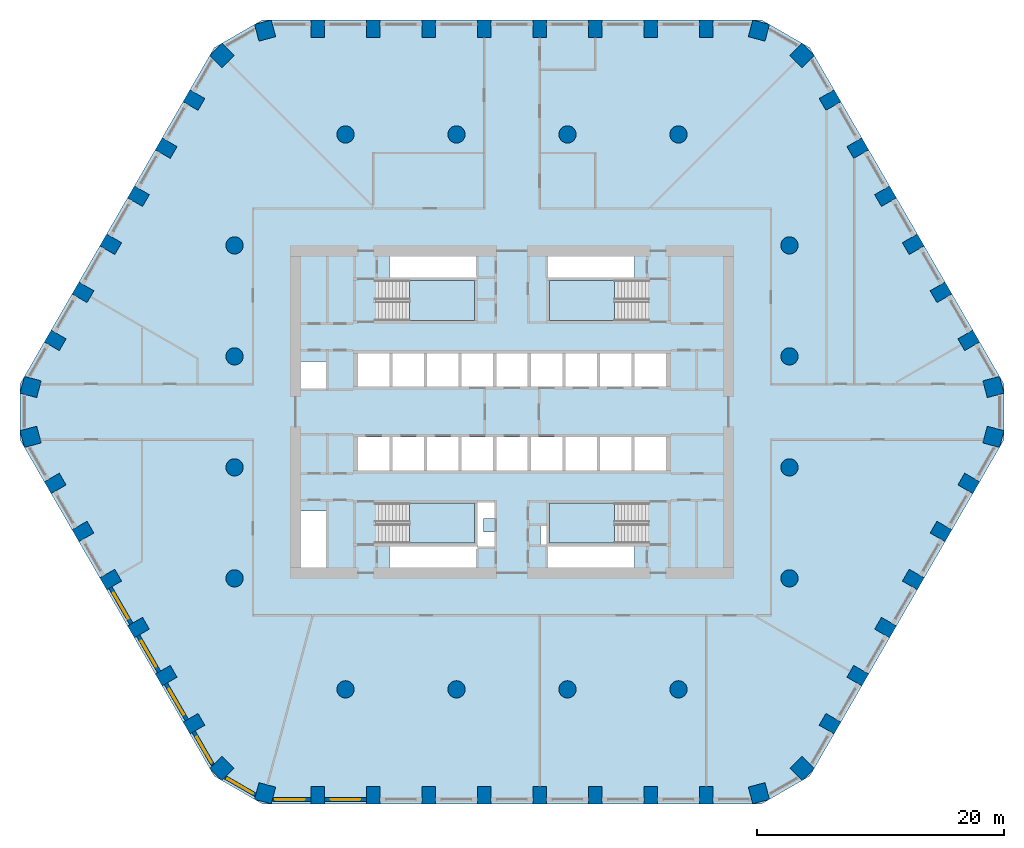
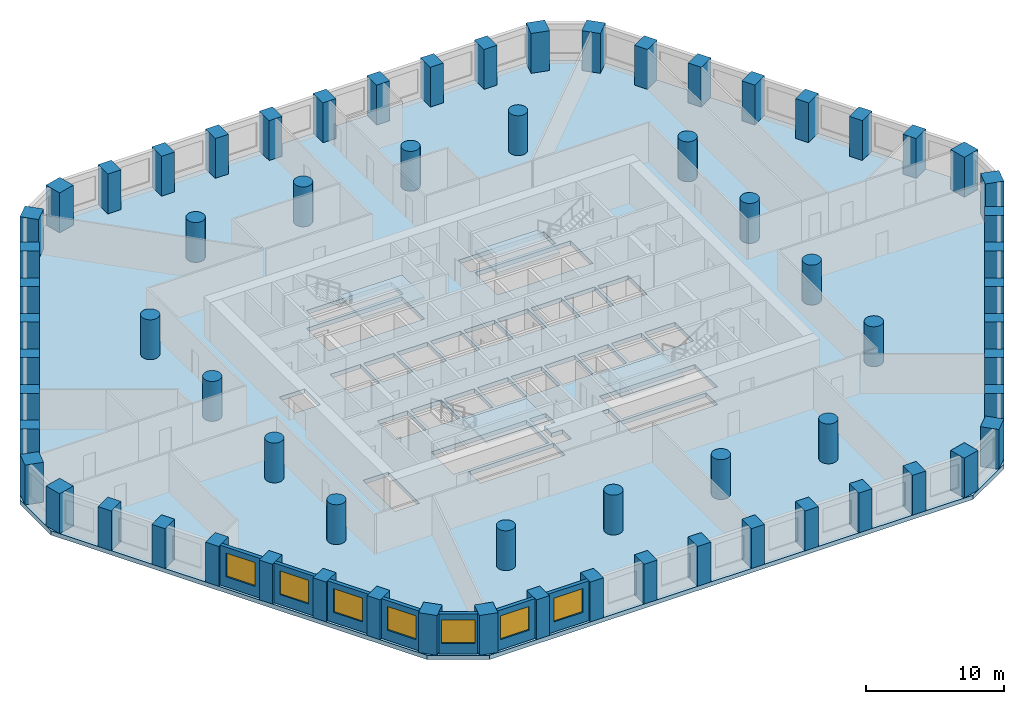
# One storey, part 1 of 10: 68 columns, 7 walls, 7 windows, 5 slabs, 7 openings, 4 elements without a shape of their own.
"""IFC4 building model written with IfcOpenShell, lengths in metres."""

from ifc_helpers import new_model, si_unit, direction, frame, frame_2d, origin, origin_2d, place, context, subcontext, project, spatial, polyline, rectangle, circle, outline, extrude, material, layer, layer_set, material_profile, profile_set, type_object, element, fill, aggregate, save


model = new_model("IFC4")

# Units and contexts
model_context = context("Model", 3, precision=1e-05, world=origin(), true_north=direction((0.0, 1.0)))
body_context = subcontext(model_context, "Body", "Model", "MODEL_VIEW")
ifc_project = project(units=[si_unit("LENGTHUNIT", "METRE"), si_unit("AREAUNIT", "SQUARE_METRE"), si_unit("VOLUMEUNIT", "CUBIC_METRE"), si_unit("PLANEANGLEUNIT", "RADIAN"), si_unit("MASSUNIT", "GRAM", prefix="KILO")], contexts=[model_context])

# Site, building, storey
site_placement = place(None, origin())
site = spatial("IfcSite", under=ifc_project, at=site_placement, CompositionType="ELEMENT")
building_placement = place(site_placement, origin())
building = spatial("IfcBuilding", under=site, at=building_placement, Name="Dhurran Vertical Campus", CompositionType="ELEMENT")
storey_placement = place(building_placement, frame((0.0, 0.0, 57.300048828125)))
storey = spatial("IfcBuildingStorey", under=building, at=storey_placement, Name="L13", CompositionType="ELEMENT", Elevation=57.300048828125)

# Columns
ifc_material_1 = material(Name="Concrete C70/85", Category="concrete")
ifc_material_profile_1 = material_profile(ifc_material_1, rectangle(XDim=1.10009765625, YDim=1.39990234375, at=origin_2d()), Name="RC 1100x1400")
ifc_profile_set_1 = profile_set([ifc_material_profile_1], Name="Concrete C70/85")
column_type_1 = type_object("IfcColumnType", Name="FR COL RC 1100x1400 C70/85", PredefinedType="COLUMN", material=ifc_profile_set_1)
for number, where, z_axis, x_axis, name in (
    (1, (-15.75, -31.079833984375, 0.0), (0.0, 0.0, 1.0), (1.0, 0.0, 0.0), "Perimeter pier PP1.01"),
    (2, (-11.25, -31.079833984375, 0.0), (0.0, 0.0, 1.0), (1.0, 0.0, 0.0), "Perimeter pier PP1.02"),
    (3, (-6.75, -31.079833984375, 0.0), (0.0, 0.0, 1.0), (1.0, 0.0, 0.0), "Perimeter pier PP1.03"),
    (4, (-2.25, -31.079833984375, 0.0), (0.0, 0.0, 1.0), (1.0, 0.0, 0.0), "Perimeter pier PP1.04"),
    (5, (2.25, -31.079833984375, 0.0), (0.0, 0.0, 1.0), (1.0, 0.0, 0.0), "Perimeter pier PP1.05"),
    (6, (6.75, -31.079833984375, 0.0), (0.0, 0.0, 1.0), (1.0, 0.0, 0.0), "Perimeter pier PP1.06"),
    (7, (11.25, -31.079833984375, 0.0), (0.0, 0.0, 1.0), (1.0, 0.0, 0.0), "Perimeter pier PP1.07"),
    (8, (15.75, -31.079833984375, 0.0), (0.0, 0.0, 1.0), (1.0, 0.0, 0.0), "Perimeter pier PP1.08"),
    (9, (25.791015625, -25.28271484375, 0.0), (0.0, 0.0, 1.0), (0.5, 0.866025403784, 0.0), "Perimeter pier PP1.11"),
    (10, (28.041015625, -21.385498046875, 0.0), (0.0, 0.0, 1.0), (0.5, 0.866025403784, 0.0), "Perimeter pier PP1.12"),
    (11, (30.291015625, -17.488525390625, 0.0), (0.0, 0.0, 1.0), (0.5, 0.866025403784, 0.0), "Perimeter pier PP1.13"),
    (12, (32.541015625, -13.59130859375, 0.0), (0.0, 0.0, 1.0), (0.5, 0.866025403784, 0.0), "Perimeter pier PP1.14"),
    (13, (34.791015625, -9.694091796875, 0.0), (0.0, 0.0, 1.0), (0.5, 0.866025403784, 0.0), "Perimeter pier PP1.15"),
    (14, (37.041015625, -5.797119140625, 0.0), (0.0, 0.0, 1.0), (0.5, 0.866025403784, 0.0), "Perimeter pier PP1.16"),
    (15, (37.041015625, 5.797119140625, 0.0), (0.0, 0.0, 1.0), (-0.5, 0.866025403784, 0.0), "Perimeter pier PP1.19"),
    (16, (34.791015625, 9.694091796875, 0.0), (0.0, 0.0, 1.0), (-0.5, 0.866025403784, 0.0), "Perimeter pier PP1.20"),
    (17, (32.541015625, 13.59130859375, 0.0), (0.0, 0.0, 1.0), (-0.5, 0.866025403784, 0.0), "Perimeter pier PP1.21"),
    (18, (30.291015625, 17.488525390625, 0.0), (0.0, 0.0, 1.0), (-0.5, 0.866025403784, 0.0), "Perimeter pier PP1.22"),
    (19, (28.041015625, 21.385498046875, 0.0), (0.0, 0.0, 1.0), (-0.5, 0.866025403784, 0.0), "Perimeter pier PP1.23"),
    (20, (25.791015625, 25.28271484375, 0.0), (0.0, 0.0, 1.0), (-0.5, 0.866025403784, 0.0), "Perimeter pier PP1.24"),
    (21, (15.75, 31.079833984375, 0.0), (0.0, 0.0, 1.0), (-1.0, 0.0, 0.0), "Perimeter pier PP1.27"),
    (22, (11.25, 31.079833984375, 0.0), (0.0, 0.0, 1.0), (-1.0, 0.0, 0.0), "Perimeter pier PP1.28"),
    (23, (6.75, 31.079833984375, 0.0), (0.0, 0.0, 1.0), (-1.0, 0.0, 0.0), "Perimeter pier PP1.29"),
    (24, (2.25, 31.079833984375, 0.0), (0.0, 0.0, 1.0), (-1.0, 0.0, 0.0), "Perimeter pier PP1.30"),
    (25, (-2.25, 31.079833984375, 0.0), (0.0, 0.0, 1.0), (-1.0, 0.0, 0.0), "Perimeter pier PP1.31"),
    (26, (-6.75, 31.079833984375, 0.0), (0.0, 0.0, 1.0), (-1.0, 0.0, 0.0), "Perimeter pier PP1.32"),
    (27, (-11.25, 31.079833984375, 0.0), (0.0, 0.0, 1.0), (-1.0, 0.0, 0.0), "Perimeter pier PP1.33"),
    (28, (-15.75, 31.079833984375, 0.0), (0.0, 0.0, 1.0), (-1.0, 0.0, 0.0), "Perimeter pier PP1.34"),
    (29, (-25.791015625, 25.28271484375, 0.0), (0.0, 0.0, 1.0), (-0.5, -0.866025403784, 0.0), "Perimeter pier PP1.37"),
    (30, (-28.041015625, 21.385498046875, 0.0), (0.0, 0.0, 1.0), (-0.5, -0.866025403784, 0.0), "Perimeter pier PP1.38"),
    (31, (-30.291015625, 17.488525390625, 0.0), (0.0, 0.0, 1.0), (-0.5, -0.866025403784, 0.0), "Perimeter pier PP1.39"),
    (32, (-32.541015625, 13.59130859375, 0.0), (0.0, 0.0, 1.0), (-0.5, -0.866025403784, 0.0), "Perimeter pier PP1.40"),
    (33, (-34.791015625, 9.694091796875, 0.0), (0.0, 0.0, 1.0), (-0.5, -0.866025403784, 0.0), "Perimeter pier PP1.41"),
    (34, (-37.041015625, 5.797119140625, 0.0), (0.0, 0.0, 1.0), (-0.5, -0.866025403784, 0.0), "Perimeter pier PP1.42"),
    (35, (-37.041015625, -5.797119140625, 0.0), (0.0, 0.0, 1.0), (0.5, -0.866025403784, 0.0), "Perimeter pier PP1.45"),
    (36, (-34.791015625, -9.694091796875, 0.0), (0.0, 0.0, 1.0), (0.5, -0.866025403784, 0.0), "Perimeter pier PP1.46"),
    (37, (-32.541015625, -13.59130859375, 0.0), (0.0, 0.0, 1.0), (0.5, -0.866025403784, 0.0), "Perimeter pier PP1.47"),
    (38, (-30.291015625, -17.488525390625, 0.0), (0.0, 0.0, 1.0), (0.5, -0.866025403784, 0.0), "Perimeter pier PP1.48"),
    (39, (-28.041015625, -21.385498046875, 0.0), (0.0, 0.0, 1.0), (0.5, -0.866025403784, 0.0), "Perimeter pier PP1.49"),
    (40, (-25.791015625, -25.28271484375, 0.0), (0.0, 0.0, 1.0), (0.5, -0.866025403784, 0.0), "Perimeter pier PP1.50"),
):
    element("IfcColumn", number, at=place(storey_placement, frame(where, z_axis=z_axis, x_axis=x_axis)), inside=storey, type_object=column_type_1, Name=name, PredefinedType="COLUMN", context=body_context, shape_type="SweptSolid", body=[
        extrude(rectangle(XDim=1.10009765625, YDim=1.39990234375, at=origin_2d()), origin(), (0.0, 0.0, 1.0), 3.52490234375),
    ])
ifc_material_2 = material(Name="Concrete C70/85", Category="concrete")
ifc_material_profile_2 = material_profile(ifc_material_2, rectangle(XDim=1.39990234375, YDim=1.39990234375, at=origin_2d()), Name="RC 1400x1400")
ifc_profile_set_2 = profile_set([ifc_material_profile_2], Name="Concrete C70/85")
column_type_2 = type_object("IfcColumnType", Name="FR COL RC 1400x1400 C70/85", PredefinedType="COLUMN", material=ifc_profile_set_2)
for number, where, z_axis, x_axis, name in (
    (41, (-20.020263671875, -30.922607421875, 0.0), (0.0, 0.0, 1.0), (0.965925826289, -0.258819045103, 0.0), "Perimeter pier PP1.00"),
    (42, (20.020263671875, -30.922607421875, 0.0), (0.0, 0.0, 1.0), (0.965925826289, 0.258819045103, 0.0), "Perimeter pier PP1.09"),
    (43, (23.51953125, -28.902099609375, 0.0), (0.0, 0.0, 1.0), (0.707106781187, 0.707106781187, 0.0), "Perimeter pier PP1.10"),
    (44, (39.039794921875, -2.020263671875, 0.0), (0.0, 0.0, 1.0), (0.258819045103, 0.965925826289, 0.0), "Perimeter pier PP1.17"),
    (45, (39.039794921875, 2.020263671875, 0.0), (0.0, 0.0, 1.0), (-0.258819045103, 0.965925826289, 0.0), "Perimeter pier PP1.18"),
    (46, (23.51953125, 28.902099609375, 0.0), (0.0, 0.0, 1.0), (-0.707106781187, 0.707106781187, 0.0), "Perimeter pier PP1.25"),
    (47, (20.020263671875, 30.922607421875, 0.0), (0.0, 0.0, 1.0), (-0.965925826289, 0.258819045103, 0.0), "Perimeter pier PP1.26"),
    (48, (-20.020263671875, 30.922607421875, 0.0), (0.0, 0.0, 1.0), (-0.965925826289, -0.258819045103, 0.0), "Perimeter pier PP1.35"),
    (49, (-23.51953125, 28.902099609375, 0.0), (0.0, 0.0, 1.0), (-0.707106781187, -0.707106781187, 0.0), "Perimeter pier PP1.36"),
    (50, (-39.039794921875, 2.020263671875, 0.0), (0.0, 0.0, 1.0), (-0.258819045103, -0.965925826289, 0.0), "Perimeter pier PP1.43"),
    (51, (-39.039794921875, -2.020263671875, 0.0), (0.0, 0.0, 1.0), (0.258819045103, -0.965925826289, 0.0), "Perimeter pier PP1.44"),
    (52, (-23.51953125, -28.902099609375, 0.0), (0.0, 0.0, 1.0), (0.707106781187, -0.707106781187, 0.0), "Perimeter pier PP1.51"),
):
    element("IfcColumn", number, at=place(storey_placement, frame(where, z_axis=z_axis, x_axis=x_axis)), inside=storey, type_object=column_type_2, Name=name, PredefinedType="COLUMN", context=body_context, shape_type="SweptSolid", body=[
        extrude(rectangle(XDim=1.39990234375, YDim=1.39990234375, at=origin_2d()), origin(), (0.0, 0.0, 1.0), 3.52490234375),
    ])
ifc_material_3 = material(Name="Concrete C70/85", Category="concrete")
ifc_material_profile_3 = material_profile(ifc_material_3, circle(Radius=0.699951171875, at=origin_2d()), Name="RCC D1400")
ifc_profile_set_3 = profile_set([ifc_material_profile_3], Name="Concrete C70/85")
column_type_3 = type_object("IfcColumnType", Name="FR COL RCC D1400 C70/85", PredefinedType="COLUMN", material=ifc_profile_set_3)
for number, where, z_axis, x_axis, name in (
    (53, (-22.5, -13.5, 0.0), (0.0, 0.0, 1.0), (1.0, 0.0, 0.0), "Inner column IC1-D4"),
    (54, (-22.5, -4.5, 0.0), (0.0, 0.0, 1.0), (1.0, 0.0, 0.0), "Inner column IC1-D5"),
    (55, (-22.5, 4.5, 0.0), (0.0, 0.0, 1.0), (1.0, 0.0, 0.0), "Inner column IC1-D6"),
    (56, (-22.5, 13.5, 0.0), (0.0, 0.0, 1.0), (1.0, 0.0, 0.0), "Inner column IC1-D7"),
    (57, (-13.5, -22.5, 0.0), (0.0, 0.0, 1.0), (1.0, 0.0, 0.0), "Inner column IC1-E3"),
    (58, (-13.5, 22.5, 0.0), (0.0, 0.0, 1.0), (1.0, 0.0, 0.0), "Inner column IC1-E8"),
    (59, (-4.5, -22.5, 0.0), (0.0, 0.0, 1.0), (1.0, 0.0, 0.0), "Inner column IC1-F3"),
    (60, (-4.5, 22.5, 0.0), (0.0, 0.0, 1.0), (1.0, 0.0, 0.0), "Inner column IC1-F8"),
    (61, (4.5, -22.5, 0.0), (0.0, 0.0, 1.0), (1.0, 0.0, 0.0), "Inner column IC1-G3"),
    (62, (4.5, 22.5, 0.0), (0.0, 0.0, 1.0), (1.0, 0.0, 0.0), "Inner column IC1-G8"),
    (63, (13.5, -22.5, 0.0), (0.0, 0.0, 1.0), (1.0, 0.0, 0.0), "Inner column IC1-H3"),
    (64, (13.5, 22.5, 0.0), (0.0, 0.0, 1.0), (1.0, 0.0, 0.0), "Inner column IC1-H8"),
    (65, (22.5, -13.5, 0.0), (0.0, 0.0, 1.0), (1.0, 0.0, 0.0), "Inner column IC1-J4"),
    (66, (22.5, -4.5, 0.0), (0.0, 0.0, 1.0), (1.0, 0.0, 0.0), "Inner column IC1-J5"),
    (67, (22.5, 4.5, 0.0), (0.0, 0.0, 1.0), (1.0, 0.0, 0.0), "Inner column IC1-J6"),
    (68, (22.5, 13.5, 0.0), (0.0, 0.0, 1.0), (1.0, 0.0, 0.0), "Inner column IC1-J7"),
):
    element("IfcColumn", number, at=place(storey_placement, frame(where, z_axis=z_axis, x_axis=x_axis)), inside=storey, type_object=column_type_3, Name=name, PredefinedType="COLUMN", context=body_context, shape_type="SweptSolid", body=[
        extrude(circle(Radius=0.699951171875, at=origin_2d()), origin(), (0.0, 0.0, 1.0), 3.52490234375),
    ])

# Slab
ifc_material_4 = material(Name="Concrete C40/50", Category="concrete")
ifc_layer_1 = layer(ifc_material_4, 0.375)
ifc_layer_set_1 = layer_set([ifc_layer_1], Name="Concrete C40/50")
slab_type_1 = type_object("IfcSlabType", Name="FR POST-TENSIONED FLAT SLAB 375", PredefinedType="FLOOR", material=ifc_layer_set_1)
slab_1_placement = place(storey_placement, frame((0.0, 0.0, -0.375)))
element("IfcSlab", 69, at=slab_1_placement, inside=storey, type_object=slab_type_1, Name="Floor slab L13", PredefinedType="FLOOR", context=body_context, shape_type="SweptSolid", body=[
    extrude(outline(polyline([(-20.25, -31.77978515625), (20.25, -31.77978515625), (24.147216796875, -29.52978515625), (39.897216796875, -2.25), (39.897216796875, 2.25), (24.147216796875, 29.52978515625), (20.25, 31.77978515625), (-20.25, 31.77978515625), (-24.147216796875, 29.52978515625), (-39.897216796875, 2.25), (-39.897216796875, -2.25), (-24.147216796875, -29.52978515625), (-20.25, -31.77978515625)]), holes=[polyline([(-12.47509765625, 2.050048828125), (-9.925048828125, 2.050048828125), (-9.925048828125, 4.75), (-12.47509765625, 4.75), (-12.47509765625, 2.050048828125)]), polyline([(-9.675048828125, 2.050048828125), (-7.125, 2.050048828125), (-7.125, 4.75), (-9.675048828125, 4.75), (-9.675048828125, 2.050048828125)]), polyline([(-6.875, 2.050048828125), (-4.324951171875, 2.050048828125), (-4.324951171875, 4.75), (-6.875, 4.75), (-6.875, 2.050048828125)]), polyline([(-1.27490234375, 2.050048828125), (1.27490234375, 2.050048828125), (1.27490234375, 4.75), (-1.27490234375, 4.75), (-1.27490234375, 2.050048828125)]), polyline([(9.925048828125, 2.050048828125), (12.47509765625, 2.050048828125), (12.47509765625, 4.75), (9.925048828125, 4.75), (9.925048828125, 2.050048828125)]), polyline([(-1.27490234375, -4.75), (1.27490234375, -4.75), (1.27490234375, -2.050048828125), (-1.27490234375, -2.050048828125), (-1.27490234375, -4.75)]), polyline([(1.52490234375, -4.75), (4.074951171875, -4.75), (4.074951171875, -2.050048828125), (1.52490234375, -2.050048828125), (1.52490234375, -4.75)]), polyline([(4.324951171875, -4.75), (6.875, -4.75), (6.875, -2.050048828125), (4.324951171875, -2.050048828125), (4.324951171875, -4.75)]), polyline([(7.125, -4.75), (9.675048828125, -4.75), (9.675048828125, -2.050048828125), (7.125, -2.050048828125), (7.125, -4.75)]), polyline([(9.925048828125, -4.75), (12.47509765625, -4.75), (12.47509765625, -2.050048828125), (9.925048828125, -2.050048828125), (9.925048828125, -4.75)]), polyline([(-4.074951171875, 2.050048828125), (-1.52490234375, 2.050048828125), (-1.52490234375, 4.75), (-4.074951171875, 4.75), (-4.074951171875, 2.050048828125)]), polyline([(1.52490234375, 2.050048828125), (4.074951171875, 2.050048828125), (4.074951171875, 4.75), (1.52490234375, 4.75), (1.52490234375, 2.050048828125)]), polyline([(4.324951171875, 2.050048828125), (6.875, 2.050048828125), (6.875, 4.75), (4.324951171875, 4.75), (4.324951171875, 2.050048828125)]), polyline([(7.125, 2.050048828125), (9.675048828125, 2.050048828125), (9.675048828125, 4.75), (7.125, 4.75), (7.125, 2.050048828125)]), polyline([(-12.47509765625, -4.75), (-9.925048828125, -4.75), (-9.925048828125, -2.050048828125), (-12.47509765625, -2.050048828125), (-12.47509765625, -4.75)]), polyline([(-9.675048828125, -4.75), (-7.125, -4.75), (-7.125, -2.050048828125), (-9.675048828125, -2.050048828125), (-9.675048828125, -4.75)]), polyline([(-6.875, -4.75), (-4.324951171875, -4.75), (-4.324951171875, -2.050048828125), (-6.875, -2.050048828125), (-6.875, -4.75)]), polyline([(-4.074951171875, -4.75), (-1.52490234375, -4.75), (-1.52490234375, -2.050048828125), (-4.074951171875, -2.050048828125), (-4.074951171875, -4.75)]), polyline([(-11.050048828125, 7.39990234375), (-3.050048828125, 7.39990234375), (-3.050048828125, 10.64990234375), (-11.050048828125, 10.64990234375), (-11.050048828125, 7.39990234375)]), polyline([(3.050048828125, 7.39990234375), (11.050048828125, 7.39990234375), (11.050048828125, 10.64990234375), (3.050048828125, 10.64990234375), (3.050048828125, 7.39990234375)]), polyline([(-11.050048828125, -10.64990234375), (-3.050048828125, -10.64990234375), (-3.050048828125, -7.39990234375), (-11.050048828125, -7.39990234375), (-11.050048828125, -10.64990234375)]), polyline([(3.050048828125, -10.64990234375), (11.050048828125, -10.64990234375), (11.050048828125, -7.39990234375), (3.050048828125, -7.39990234375), (3.050048828125, -10.64990234375)]), polyline([(-9.949951171875, 10.89990234375), (-9.949951171875, 12.60009765625), (-2.800048828125, 12.60009765625), (-2.800048828125, 10.89990234375), (-9.949951171875, 10.89990234375)]), polyline([(9.949951171875, 12.60009765625), (9.949951171875, 10.89990234375), (2.800048828125, 10.89990234375), (2.800048828125, 12.60009765625), (9.949951171875, 12.60009765625)]), polyline([(-9.949951171875, -12.60009765625), (-9.949951171875, -10.89990234375), (-2.800048828125, -10.89990234375), (-2.800048828125, -12.60009765625), (-9.949951171875, -12.60009765625)]), polyline([(9.949951171875, -10.89990234375), (9.949951171875, -12.60009765625), (2.800048828125, -12.60009765625), (2.800048828125, -10.89990234375), (9.949951171875, -10.89990234375)]), polyline([(-17.10009765625, -8.050048828125), (-15.0, -8.050048828125), (-15.0, -12.60009765625), (-17.10009765625, -12.60009765625), (-17.10009765625, -8.050048828125)]), polyline([(-2.800048828125, -7.35009765625), (-1.39990234375, -7.35009765625), (-1.39990234375, -8.637451171875), (-2.300048828125, -8.637451171875), (-2.300048828125, -9.737548828125), (-1.39990234375, -9.737548828125), (-1.39990234375, -11.02490234375), (-2.75, -11.02490234375), (-2.75, -10.85009765625), (-2.800048828125, -10.85009765625), (-2.800048828125, -7.35009765625)]), polyline([(2.300048828125, -10.867431640625), (2.300048828125, -9.135009765625), (2.800048828125, -9.135009765625), (2.800048828125, -10.85009765625), (2.75, -10.85009765625), (2.75, -10.867431640625), (2.300048828125, -10.867431640625)]), polyline([(-17.10009765625, 4.10009765625), (-15.0, 4.10009765625), (-15.0, 1.800048828125), (-17.10009765625, 1.800048828125), (-17.10009765625, 4.10009765625)])]), origin(), (0.0, 0.0, 1.0), 0.375),
])

# Stair, slab
ifc_material_5 = material(Name="Concrete C40/50", Category="concrete")
stair_type = type_object("IfcStairType", Name="co-ST-CORE", PredefinedType="HALF_TURN_STAIR", material=ifc_material_5)
stair_1_placement = place(storey_placement, origin())
stair_1 = element("IfcStair", 70, at=stair_1_placement, inside=storey, type_object=stair_type, Name="L13 Protected exit stair ST1", PredefinedType="HALF_TURN_STAIR")
ifc_material_6 = material(Name="Concrete C40/50", Category="concrete")
ifc_layer_2 = layer(ifc_material_6, 0.199951171875)
ifc_layer_set_2 = layer_set([ifc_layer_2], Name="Concrete C40/50")
slab_type_2 = type_object("IfcSlabType", Name="co-SL-LANDING", PredefinedType="LANDING", material=ifc_layer_set_2)
slab_2_placement = place(storey_placement, frame((0.0, 0.0, 1.75)))
slab_2 = element("IfcSlab", 71, at=slab_2_placement, type_object=slab_type_2, Name="ST1 landing 1", PredefinedType="LANDING", context=body_context, shape_type="SweptSolid", body=[
    extrude(outline(polyline([(-8.300048828125, 7.39990234375), (-3.050048828125, 7.39990234375), (-3.050048828125, 10.64990234375), (-8.300048828125, 10.64990234375), (-8.300048828125, 7.39990234375)])), origin(), (0.0, 0.0, 1.0), 0.199951171875),
])
aggregate(stair_1, [slab_2])

stair_2_placement = place(storey_placement, origin())
stair_2 = element("IfcStair", 72, at=stair_2_placement, inside=storey, type_object=stair_type, Name="L13 Protected exit stair ST2", PredefinedType="HALF_TURN_STAIR")
slab_3_placement = place(storey_placement, frame((0.0, 0.0, 1.75)))
slab_3 = element("IfcSlab", 73, at=slab_3_placement, type_object=slab_type_2, Name="ST2 landing 1", PredefinedType="LANDING", context=body_context, shape_type="SweptSolid", body=[
    extrude(outline(polyline([(8.300048828125, 10.64990234375), (3.050048828125, 10.64990234375), (3.050048828125, 7.39990234375), (8.300048828125, 7.39990234375), (8.300048828125, 10.64990234375)])), origin(), (0.0, 0.0, 1.0), 0.199951171875),
])
aggregate(stair_2, [slab_3])

stair_3_placement = place(storey_placement, origin())
stair_3 = element("IfcStair", 74, at=stair_3_placement, inside=storey, type_object=stair_type, Name="L13 Protected exit stair ST3", PredefinedType="HALF_TURN_STAIR")
slab_4_placement = place(storey_placement, frame((0.0, 0.0, 1.75)))
slab_4 = element("IfcSlab", 75, at=slab_4_placement, type_object=slab_type_2, Name="ST3 landing 1", PredefinedType="LANDING", context=body_context, shape_type="SweptSolid", body=[
    extrude(outline(polyline([(-8.300048828125, -10.64990234375), (-3.050048828125, -10.64990234375), (-3.050048828125, -7.39990234375), (-8.300048828125, -7.39990234375), (-8.300048828125, -10.64990234375)])), origin(), (0.0, 0.0, 1.0), 0.199951171875),
])
aggregate(stair_3, [slab_4])

stair_4_placement = place(storey_placement, origin())
stair_4 = element("IfcStair", 76, at=stair_4_placement, inside=storey, type_object=stair_type, Name="L13 Protected exit stair ST4", PredefinedType="HALF_TURN_STAIR")
slab_5_placement = place(storey_placement, frame((0.0, 0.0, 1.75)))
slab_5 = element("IfcSlab", 77, at=slab_5_placement, type_object=slab_type_2, Name="ST4 landing 1", PredefinedType="LANDING", context=body_context, shape_type="SweptSolid", body=[
    extrude(outline(polyline([(8.300048828125, -7.39990234375), (3.050048828125, -7.39990234375), (3.050048828125, -10.64990234375), (8.300048828125, -10.64990234375), (8.300048828125, -7.39990234375)])), origin(), (0.0, 0.0, 1.0), 0.199951171875),
])
aggregate(stair_4, [slab_5])

# Wall, opening, window
ifc_material_7 = material(Name="Precast concrete C50/60", Category="concrete")
ifc_layer_3 = layer(ifc_material_7, 0.300048828125)
ifc_layer_set_3 = layer_set([ifc_layer_3], Name="Precast concrete C50/60")
wall_type = type_object("IfcWallType", Name="Precast spandrel wall 300", PredefinedType="SOLIDWALL", material=ifc_layer_set_3)
wall_1_placement = place(storey_placement, frame((-19.39111328125, -31.4296875, 0.0), z_axis=(0.0, 0.0, 1.0), x_axis=(1.0, 0.0, 0.0)))
wall_1 = element("IfcWall", 78, at=wall_1_placement, inside=storey, type_object=wall_type, Name="EW1 L13.00", PredefinedType="SOLIDWALL", context=body_context, shape_type="SweptSolid", body=[
    extrude(rectangle(XDim=3.090576171875, YDim=0.300048828125, at=frame_2d((1.54541015625, 0.0))), origin(), (0.0, 0.0, 1.0), 3.52490234375),
])
opening_1_placement = place(wall_1_placement, frame((0.191162109375, 0.0, 0.89990234375)))
opening_1 = element("IfcOpeningElement", 79, at=opening_1_placement, cuts=wall_1, Name="Opening WT1", PredefinedType="OPENING", context=body_context, shape_type="SweptSolid", body=[
    extrude(rectangle(XDim=2.39990234375, YDim=2.10009765625, at=frame_2d((1.199951171875, 1.050048828125))), frame((0.0, 0.159912109375, 0.0), z_axis=(0.0, -1.0, 0.0), x_axis=(1.0, 0.0, 0.0)), (0.0, 0.0, 1.0), 0.320068359375),
])
ifc_material_8 = material(Name="Aluminium frame with solar-control glass", Category="aluminium")
window_type = type_object("IfcWindowType", Name="Punched window 2400 x 2100", PartitioningType="SINGLE_PANEL", PredefinedType="WINDOW", material=ifc_material_8)
window_1_placement = place(opening_1_placement, origin())
window_1 = element("IfcWindow", 80, at=window_1_placement, inside=storey, type_object=window_type, Name="WT1 L13.00", OverallHeight=2.10009765625, OverallWidth=2.39990234375, PartitioningType="SINGLE_PANEL", PredefinedType="WINDOW", context=body_context, shape_type="SweptSolid", body=[
    extrude(rectangle(XDim=2.39990234375, YDim=2.10009765625, at=frame_2d((1.199951171875, 1.050048828125))), frame((0.0, 0.030029296875, 0.0), z_axis=(0.0, -1.0, 0.0), x_axis=(1.0, 0.0, 0.0)), (0.0, 0.0, 1.0), 0.06005859375),
])
fill(opening_1, window_1)

wall_2_placement = place(storey_placement, frame((-15.199462890625, -31.4296875, 0.0), z_axis=(0.0, 0.0, 1.0), x_axis=(1.0, 0.0, 0.0)))
wall_2 = element("IfcWall", 81, at=wall_2_placement, inside=storey, type_object=wall_type, Name="EW1 L13.01", PredefinedType="SOLIDWALL", context=body_context, shape_type="SweptSolid", body=[
    extrude(rectangle(XDim=3.39892578125, YDim=0.300048828125, at=frame_2d((1.699462890625, 0.0))), origin(), (0.0, 0.0, 1.0), 3.52490234375),
])
opening_2_placement = place(wall_2_placement, frame((0.49951171875, 0.0, 0.89990234375)))
opening_2 = element("IfcOpeningElement", 82, at=opening_2_placement, cuts=wall_2, Name="Opening WT1", PredefinedType="OPENING", context=body_context, shape_type="SweptSolid", body=[
    extrude(rectangle(XDim=2.39990234375, YDim=2.10009765625, at=frame_2d((1.199951171875, 1.050048828125))), frame((0.0, 0.159912109375, 0.0), z_axis=(0.0, -1.0, 0.0), x_axis=(1.0, 0.0, 0.0)), (0.0, 0.0, 1.0), 0.320068359375),
])
window_2_placement = place(opening_2_placement, origin())
window_2 = element("IfcWindow", 83, at=window_2_placement, inside=storey, type_object=window_type, Name="WT1 L13.01", OverallHeight=2.10009765625, OverallWidth=2.39990234375, PartitioningType="SINGLE_PANEL", PredefinedType="WINDOW", context=body_context, shape_type="SweptSolid", body=[
    extrude(rectangle(XDim=2.39990234375, YDim=2.10009765625, at=frame_2d((1.199951171875, 1.050048828125))), frame((0.0, 0.030029296875, 0.0), z_axis=(0.0, -1.0, 0.0), x_axis=(1.0, 0.0, 0.0)), (0.0, 0.0, 1.0), 0.06005859375),
])
fill(opening_2, window_2)

wall_3_placement = place(storey_placement, frame((-32.56884765625, -14.2431640625, 0.0), z_axis=(0.0, 0.0, 1.0), x_axis=(0.499993955907, -0.866028893315, 0.0)))
wall_3 = element("IfcWall", 84, at=wall_3_placement, inside=storey, type_object=wall_type, Name="EW1 L13.47", PredefinedType="SOLIDWALL", context=body_context, shape_type="SweptSolid", body=[
    extrude(rectangle(XDim=3.39892578125, YDim=0.300048828125, at=frame_2d((1.699462890625, 0.0))), origin(), (0.0, 0.0, 1.0), 3.52490234375),
])
opening_3_placement = place(wall_3_placement, frame((0.49951171875, 0.0, 0.89990234375)))
opening_3 = element("IfcOpeningElement", 85, at=opening_3_placement, cuts=wall_3, Name="Opening WT1", PredefinedType="OPENING", context=body_context, shape_type="SweptSolid", body=[
    extrude(rectangle(XDim=2.39990234375, YDim=2.10009765625, at=frame_2d((1.199951171875, 1.050048828125))), frame((0.0, 0.159912109375, 0.0), z_axis=(0.0, -1.0, 0.0), x_axis=(1.0, 0.0, 0.0)), (0.0, 0.0, 1.0), 0.320068359375),
])
window_3_placement = place(opening_3_placement, origin())
window_3 = element("IfcWindow", 86, at=window_3_placement, inside=storey, type_object=window_type, Name="WT1 L13.47", OverallHeight=2.10009765625, OverallWidth=2.39990234375, PartitioningType="SINGLE_PANEL", PredefinedType="WINDOW", context=body_context, shape_type="SweptSolid", body=[
    extrude(rectangle(XDim=2.39990234375, YDim=2.10009765625, at=frame_2d((1.199951171875, 1.050048828125))), frame((0.0, 0.030029296875, 0.0), z_axis=(0.0, -1.0, 0.0), x_axis=(1.0, 0.0, 0.0)), (0.0, 0.0, 1.0), 0.06005859375),
])
fill(opening_3, window_3)

wall_4_placement = place(storey_placement, frame((-30.31884765625, -18.14013671875, 0.0), z_axis=(0.0, 0.0, 1.0), x_axis=(0.499993955907, -0.866028893315, 0.0)))
wall_4 = element("IfcWall", 87, at=wall_4_placement, inside=storey, type_object=wall_type, Name="EW1 L13.48", PredefinedType="SOLIDWALL", context=body_context, shape_type="SweptSolid", body=[
    extrude(rectangle(XDim=3.39892578125, YDim=0.300048828125, at=frame_2d((1.699462890625, 0.0))), origin(), (0.0, 0.0, 1.0), 3.52490234375),
])
opening_4_placement = place(wall_4_placement, frame((0.49951171875, 0.0, 0.89990234375)))
opening_4 = element("IfcOpeningElement", 88, at=opening_4_placement, cuts=wall_4, Name="Opening WT1", PredefinedType="OPENING", context=body_context, shape_type="SweptSolid", body=[
    extrude(rectangle(XDim=2.39990234375, YDim=2.10009765625, at=frame_2d((1.199951171875, 1.050048828125))), frame((0.0, 0.159912109375, 0.0), z_axis=(0.0, -1.0, 0.0), x_axis=(1.0, 0.0, 0.0)), (0.0, 0.0, 1.0), 0.320068359375),
])
window_4_placement = place(opening_4_placement, origin())
window_4 = element("IfcWindow", 89, at=window_4_placement, inside=storey, type_object=window_type, Name="WT1 L13.48", OverallHeight=2.10009765625, OverallWidth=2.39990234375, PartitioningType="SINGLE_PANEL", PredefinedType="WINDOW", context=body_context, shape_type="SweptSolid", body=[
    extrude(rectangle(XDim=2.39990234375, YDim=2.10009765625, at=frame_2d((1.199951171875, 1.050048828125))), frame((0.0, 0.030029296875, 0.0), z_axis=(0.0, -1.0, 0.0), x_axis=(1.0, 0.0, 0.0)), (0.0, 0.0, 1.0), 0.06005859375),
])
fill(opening_4, window_4)

wall_5_placement = place(storey_placement, frame((-28.06884765625, -22.037353515625, 0.0), z_axis=(0.0, 0.0, 1.0), x_axis=(0.499993955907, -0.866028893315, 0.0)))
wall_5 = element("IfcWall", 90, at=wall_5_placement, inside=storey, type_object=wall_type, Name="EW1 L13.49", PredefinedType="SOLIDWALL", context=body_context, shape_type="SweptSolid", body=[
    extrude(rectangle(XDim=3.39892578125, YDim=0.300048828125, at=frame_2d((1.699462890625, 0.0))), origin(), (0.0, 0.0, 1.0), 3.52490234375),
])
opening_5_placement = place(wall_5_placement, frame((0.49951171875, 0.0, 0.89990234375)))
opening_5 = element("IfcOpeningElement", 91, at=opening_5_placement, cuts=wall_5, Name="Opening WT1", PredefinedType="OPENING", context=body_context, shape_type="SweptSolid", body=[
    extrude(rectangle(XDim=2.39990234375, YDim=2.10009765625, at=frame_2d((1.199951171875, 1.050048828125))), frame((0.0, 0.159912109375, 0.0), z_axis=(0.0, -1.0, 0.0), x_axis=(1.0, 0.0, 0.0)), (0.0, 0.0, 1.0), 0.320068359375),
])
window_5_placement = place(opening_5_placement, origin())
window_5 = element("IfcWindow", 92, at=window_5_placement, inside=storey, type_object=window_type, Name="WT1 L13.49", OverallHeight=2.10009765625, OverallWidth=2.39990234375, PartitioningType="SINGLE_PANEL", PredefinedType="WINDOW", context=body_context, shape_type="SweptSolid", body=[
    extrude(rectangle(XDim=2.39990234375, YDim=2.10009765625, at=frame_2d((1.199951171875, 1.050048828125))), frame((0.0, 0.030029296875, 0.0), z_axis=(0.0, -1.0, 0.0), x_axis=(1.0, 0.0, 0.0)), (0.0, 0.0, 1.0), 0.06005859375),
])
fill(opening_5, window_5)

wall_6_placement = place(storey_placement, frame((-25.81884765625, -25.934326171875, 0.0), z_axis=(0.0, 0.0, 1.0), x_axis=(0.499995950774, -0.866027741594, 0.0)))
wall_6 = element("IfcWall", 93, at=wall_6_placement, inside=storey, type_object=wall_type, Name="EW1 L13.50", PredefinedType="SOLIDWALL", context=body_context, shape_type="SweptSolid", body=[
    extrude(rectangle(XDim=3.0908203125, YDim=0.300048828125, at=frame_2d((1.54541015625, 0.0))), origin(), (0.0, 0.0, 1.0), 3.52490234375),
])
opening_6_placement = place(wall_6_placement, frame((0.49951171875, 0.0, 0.89990234375)))
opening_6 = element("IfcOpeningElement", 94, at=opening_6_placement, cuts=wall_6, Name="Opening WT1", PredefinedType="OPENING", context=body_context, shape_type="SweptSolid", body=[
    extrude(rectangle(XDim=2.39990234375, YDim=2.10009765625, at=frame_2d((1.199951171875, 1.050048828125))), frame((0.0, 0.159912109375, 0.0), z_axis=(0.0, -1.0, 0.0), x_axis=(1.0, 0.0, 0.0)), (0.0, 0.0, 1.0), 0.320068359375),
])
window_6_placement = place(opening_6_placement, origin())
window_6 = element("IfcWindow", 95, at=window_6_placement, inside=storey, type_object=window_type, Name="WT1 L13.50", OverallHeight=2.10009765625, OverallWidth=2.39990234375, PartitioningType="SINGLE_PANEL", PredefinedType="WINDOW", context=body_context, shape_type="SweptSolid", body=[
    extrude(rectangle(XDim=2.39990234375, YDim=2.10009765625, at=frame_2d((1.199951171875, 1.050048828125))), frame((0.0, 0.030029296875, 0.0), z_axis=(0.0, -1.0, 0.0), x_axis=(1.0, 0.0, 0.0)), (0.0, 0.0, 1.0), 0.06005859375),
])
fill(opening_6, window_6)

wall_7_placement = place(storey_placement, frame((-23.228271484375, -29.656005859375, 0.0), z_axis=(0.0, 0.0, 1.0), x_axis=(0.866020456713, -0.500008568482, 0.0)))
wall_7 = element("IfcWall", 96, at=wall_7_placement, inside=storey, type_object=wall_type, Name="EW1 L13.51", PredefinedType="SOLIDWALL", context=body_context, shape_type="SweptSolid", body=[
    extrude(rectangle(XDim=2.7822265625, YDim=0.300048828125, at=frame_2d((1.39111328125, 0.0))), origin(), (0.0, 0.0, 1.0), 3.52490234375),
])
opening_7_placement = place(wall_7_placement, frame((0.191162109375, 0.0, 0.89990234375)))
opening_7 = element("IfcOpeningElement", 97, at=opening_7_placement, cuts=wall_7, Name="Opening WT1", PredefinedType="OPENING", context=body_context, shape_type="SweptSolid", body=[
    extrude(rectangle(XDim=2.39990234375, YDim=2.10009765625, at=frame_2d((1.199951171875, 1.050048828125))), frame((0.0, 0.159912109375, 0.0), z_axis=(0.0, -1.0, 0.0), x_axis=(1.0, 0.0, 0.0)), (0.0, 0.0, 1.0), 0.320068359375),
])
window_7_placement = place(opening_7_placement, origin())
window_7 = element("IfcWindow", 98, at=window_7_placement, inside=storey, type_object=window_type, Name="WT1 L13.51", OverallHeight=2.10009765625, OverallWidth=2.39990234375, PartitioningType="SINGLE_PANEL", PredefinedType="WINDOW", context=body_context, shape_type="SweptSolid", body=[
    extrude(rectangle(XDim=2.39990234375, YDim=2.10009765625, at=frame_2d((1.199951171875, 1.050048828125))), frame((0.0, 0.030029296875, 0.0), z_axis=(0.0, -1.0, 0.0), x_axis=(1.0, 0.0, 0.0)), (0.0, 0.0, 1.0), 0.06005859375),
])
fill(opening_7, window_7)

save(model, "model.ifc")
